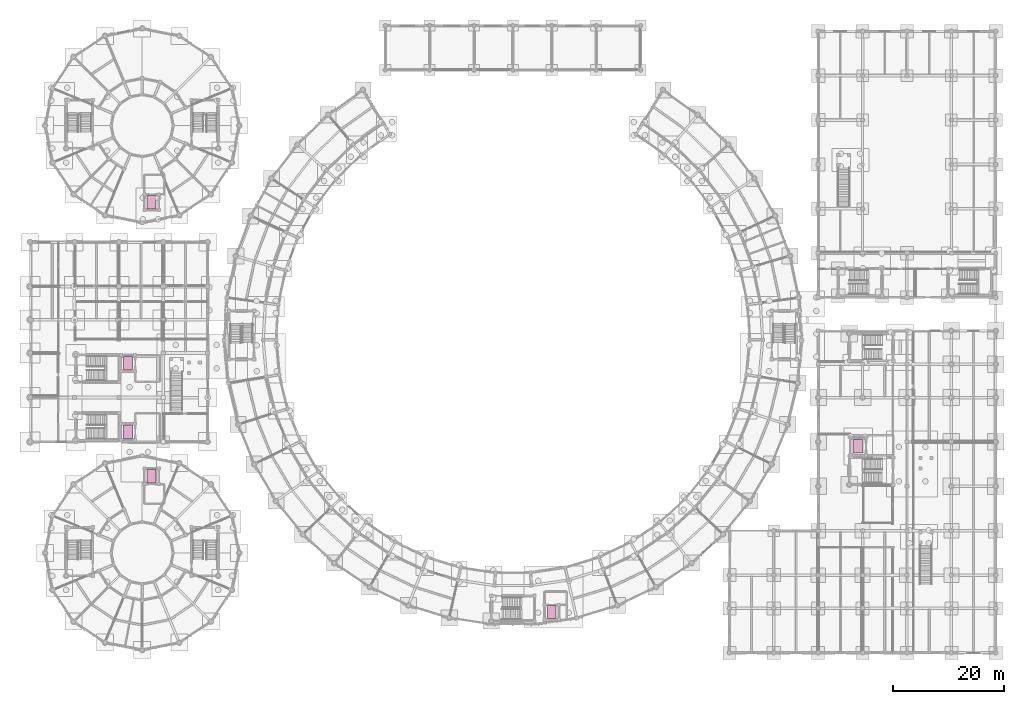
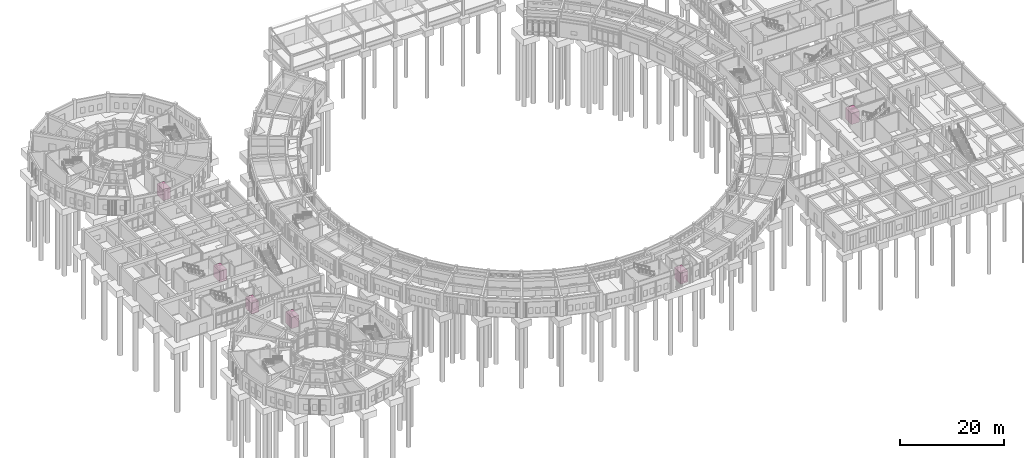
# One storey, part 153 of 153: 6 transport elements.
"""IFC4 building model written with IfcOpenShell, lengths in metres."""

import ifcopenshell
import ifcopenshell.guid

model = None  # the IFC model being written
_history = None  # IfcOwnerHistory: only IFC2X3 demands one
_inside = {}  # id of a spatial element -> (the spatial element, [elements in it])
_under = {}  # id of a project, library or spatial element -> (it, [spatial elements below it])
_declared = {}  # id of a project -> (the project, [libraries it declares])
_typed = {}  # id of a type object -> (the type object, [elements of that type])
_made_of = {}  # id of a material, layer set ... -> (it, [elements and type objects made of it])


def new_model(schema):
    """Start an empty IFC model of exactly this schema.

    Asked for "IFC4X3", IfcOpenShell would pick the latest addendum, in which some entities
    have other attributes; the version numbers below select the first issue.
    IFC2X3 requires an IfcOwnerHistory on every rooted entity: one is made here for all.
    """
    global model, _history
    if schema == "IFC4X3":
        model = ifcopenshell.file(schema_version=(4, 3, 0, 0))
    else:
        model = ifcopenshell.file(schema=schema)
    _inside.clear()
    _under.clear()
    _declared.clear()
    _typed.clear()
    _made_of.clear()
    _history = None
    if model.schema == "IFC2X3":
        org = make("IfcOrganization", Name="unknown")
        user = make(
            "IfcPersonAndOrganization",
            ThePerson=make("IfcPerson", FamilyName="unknown"),
            TheOrganization=org,
        )
        app = make(
            "IfcApplication",
            ApplicationDeveloper=org,
            Version="unknown",
            ApplicationFullName="unknown",
            ApplicationIdentifier="unknown",
        )
        _history = make(
            "IfcOwnerHistory",
            OwningUser=user,
            OwningApplication=app,
            ChangeAction="ADDED",
            CreationDate=0,
        )
    return model


def make(cls, **values):
    """One entity of the class cls with the attributes given. An attribute that is None is left unset."""
    return model.create_entity(
        cls, **{name: value for name, value in values.items() if value is not None}
    )


def rooted(cls, **values):
    """An entity with a GlobalId (a new one), such as an element, a storey or a relation."""
    return make(cls, GlobalId=ifcopenshell.guid.new(), OwnerHistory=_history, **values)


def si_unit(unit_type, name, prefix=None):
    """IfcSIUnit, for example si_unit("LENGTHUNIT", "METRE", prefix="MILLI")."""
    return make("IfcSIUnit", UnitType=unit_type, Prefix=prefix, Name=name)


def assignment(units):
    """IfcUnitAssignment: the units of a project."""
    return None if units is None else make("IfcUnitAssignment", Units=units)


def point(xyz):
    """IfcCartesianPoint."""
    return None if xyz is None else make("IfcCartesianPoint", Coordinates=xyz)


def direction(xyz):
    """IfcDirection."""
    return None if xyz is None else make("IfcDirection", DirectionRatios=xyz)


def frame(location, z_axis=None, x_axis=None):
    """IfcAxis2Placement3D, a coordinate frame: its origin and axes. An axis left out is left unset."""
    return make(
        "IfcAxis2Placement3D",
        Location=point(location),
        Axis=direction(z_axis),
        RefDirection=direction(x_axis),
    )


def frame_2d(location, x_axis=None):
    """IfcAxis2Placement2D, a coordinate frame in the plane: its origin and x axis."""
    return make(
        "IfcAxis2Placement2D", Location=point(location), RefDirection=direction(x_axis)
    )


def origin():
    """The frame at (0, 0, 0) with its axes left unset."""
    return frame((0.0, 0.0, 0.0))


def origin_2d():
    """The frame at (0, 0) in the plane with its x axis left unset."""
    return frame_2d((0.0, 0.0))


def place(relative_to, where):
    """IfcLocalPlacement: puts the frame where relative to a parent placement (None: the world)."""
    return make(
        "IfcLocalPlacement", PlacementRelTo=relative_to, RelativePlacement=where
    )


def context(
    kind, dimensions, precision=None, world=None, true_north=None, identifier=None
):
    """IfcGeometricRepresentationContext, for example the 3D "Model" context."""
    return make(
        "IfcGeometricRepresentationContext",
        ContextIdentifier=identifier,
        ContextType=kind,
        CoordinateSpaceDimension=dimensions,
        Precision=precision,
        WorldCoordinateSystem=world,
        TrueNorth=true_north,
    )


def subcontext(parent, identifier, kind, view, scale=None):
    """IfcGeometricRepresentationSubContext, for example "Body" below "Model"."""
    return make(
        "IfcGeometricRepresentationSubContext",
        ContextIdentifier=identifier,
        ContextType=kind,
        ParentContext=parent,
        TargetScale=scale,
        TargetView=view,
    )


def project(units=None, contexts=None):
    """IfcProject with its units and contexts."""
    return rooted(
        "IfcProject",
        Name="project",
        RepresentationContexts=contexts,
        UnitsInContext=assignment(units),
    )


def spatial(cls, under=None, at=None, **own):
    """A site, building, storey or space (cls), placed at a placement, below another one or the project."""
    s = rooted(cls, ObjectPlacement=at, **own)
    if under is not None:
        _under.setdefault(under.id(), (under, []))[1].append(s)
    return s


def profile(cls, at=None, kind="AREA", **sizes):
    """A parametric profile (cls). Its sizes go by their IFC names, for example OverallWidth=200.0."""
    return make(cls, ProfileType=kind, Position=at, **sizes)


def rectangle(**sizes):
    """IfcRectangleProfileDef."""
    return profile("IfcRectangleProfileDef", **sizes)


def extrude(swept, where, along, depth):
    """IfcExtrudedAreaSolid: the profile swept, set in the frame where, extruded along a direction by depth."""
    return make(
        "IfcExtrudedAreaSolid",
        SweptArea=swept,
        Position=where,
        ExtrudedDirection=direction(along),
        Depth=depth,
    )


def shape(context_of_items, identifier, shape_type, items):
    """IfcShapeRepresentation: the items that make up one representation, for example the "Body"."""
    return make(
        "IfcShapeRepresentation",
        ContextOfItems=context_of_items,
        RepresentationIdentifier=identifier,
        RepresentationType=shape_type,
        Items=items,
    )


def material(Name=None, Category=None):
    """IfcMaterial."""
    return make("IfcMaterial", Name=Name, Category=Category)


def made_of(thing, what):
    """Note that an element or type object is made of a material, layer set ...; save() writes the relation."""
    if what is not None:
        _made_of.setdefault(what.id(), (what, []))[1].append(thing)
    return thing


def type_object(cls, material=None, **own):
    """A type object (cls), such as IfcWallType, which elements share."""
    return made_of(rooted(cls, **own), material)


def element(
    cls,
    number,
    at=None,
    inside=None,
    cuts=None,
    type_object=None,
    material=None,
    context=None,
    identifier="Body",
    shape_type=None,
    held_by="IfcProductDefinitionShape",
    body=None,
    shapes=None,
    **own,
):
    """One element of the class cls, such as IfcWall. Its Tag is "e" and its number.

    at: its placement. inside: the storey or other place that contains it. cuts: it is an
    opening in that element (IfcRelVoidsElement). A single representation is given by context,
    identifier, shape_type and body (its items); several are given by shapes. held_by: the class
    of the entity that holds the representations. save() writes the other relations.
    """
    e = rooted(cls, Tag="e%d" % number, ObjectPlacement=at, **own)
    if body is not None:
        shapes = [shape(context, identifier, shape_type, body)]
    if shapes is not None:
        e.Representation = make(held_by, Representations=shapes)
    if inside is not None:
        _inside.setdefault(inside.id(), (inside, []))[1].append(e)
    if cuts is not None:
        rooted(
            "IfcRelVoidsElement", RelatingBuildingElement=cuts, RelatedOpeningElement=e
        )
    if type_object is not None:
        _typed.setdefault(type_object.id(), (type_object, []))[1].append(e)
    return made_of(e, material)


def aggregate(whole, parts):
    """IfcRelAggregates: a whole, such as a stair, and the parts it consists of."""
    return rooted("IfcRelAggregates", RelatingObject=whole, RelatedObjects=parts)


def save(model, path):
    """Write the relations noted so far, then the file.

    IfcRelAggregates (storeys below a building ...), IfcRelContainedInSpatialStructure (elements
    in a storey), IfcRelDefinesByType, IfcRelAssociatesMaterial and IfcRelDeclares: one each for
    every whole, place, type object, material and project.
    """
    for whole, parts in _under.values():
        aggregate(whole, parts)
    for where, things in _inside.values():
        rooted(
            "IfcRelContainedInSpatialStructure",
            RelatedElements=things,
            RelatingStructure=where,
        )
    for kind, things in _typed.values():
        rooted("IfcRelDefinesByType", RelatedObjects=things, RelatingType=kind)
    for what, things in _made_of.values():
        rooted("IfcRelAssociatesMaterial", RelatedObjects=things, RelatingMaterial=what)
    for by, libraries in _declared.values():
        rooted("IfcRelDeclares", RelatingContext=by, RelatedDefinitions=libraries)
    model.write(path)


model = new_model("IFC4")

# Units and contexts
model_context = context("Model", 3, precision=1e-05, world=origin(), true_north=direction((0.0, 1.0)))
body_context = subcontext(model_context, "Body", "Model", "MODEL_VIEW")
ifc_project = project(units=[si_unit("LENGTHUNIT", "METRE"), si_unit("AREAUNIT", "SQUARE_METRE"), si_unit("VOLUMEUNIT", "CUBIC_METRE"), si_unit("PLANEANGLEUNIT", "RADIAN"), si_unit("MASSUNIT", "GRAM", prefix="KILO")], contexts=[model_context])

# Site, building, storey
site_placement = place(None, origin())
site = spatial("IfcSite", under=ifc_project, at=site_placement, CompositionType="ELEMENT")
building_placement = place(site_placement, origin())
building = spatial("IfcBuilding", under=site, at=building_placement, Name="Celadon Cloister-Ring School", CompositionType="ELEMENT")
storey_placement = place(building_placement, origin())
storey = spatial("IfcBuildingStorey", under=building, at=storey_placement, Name="L00", CompositionType="ELEMENT", Elevation=0.0)

# Transport elements
ifc_material_1 = material(Name="Stainless steel 304", Category="steel")
transport_element_type_1 = type_object("IfcTransportElementType", Name="EL-01", PredefinedType="ELEVATOR", material=ifc_material_1)
for number, where, z_axis, x_axis, name in (
    (1, (17.64990234375, 41.85009765625, 0.0), (0.0, 0.0, 1.0), (1.0, 0.0, 0.0), "Elevator LF-01"),
    (2, (17.64990234375, 54.14990234375, 0.0), (0.0, 0.0, 1.0), (1.0, 0.0, 0.0), "Elevator LF-02"),
    (3, (94.0, 9.35009765625, 0.0), (0.0, 0.0, 1.0), (1.0, 0.0, 0.0), "Elevator LF-03"),
    (4, (21.89990234375, 83.199951171875, 0.0), (0.0, 0.0, 1.0), (1.0, 0.0, 0.0), "Elevator LF-04"),
    (5, (21.89990234375, 33.800048828125, 0.0), (0.0, 0.0, 1.0), (1.0, 0.0, 0.0), "Elevator LF-05"),
):
    element("IfcTransportElement", number, at=place(storey_placement, frame(where, z_axis=z_axis, x_axis=x_axis)), inside=storey, type_object=transport_element_type_1, Name=name, PredefinedType="ELEVATOR", context=body_context, shape_type="SweptSolid", body=[
        extrude(rectangle(XDim=1.60009765625, YDim=2.39990234375, at=origin_2d()), origin(), (0.0, 0.0, 1.0), 2.60009765625),
    ])
ifc_material_2 = material(Name="Stainless steel 304", Category="steel")
transport_element_type_2 = type_object("IfcTransportElementType", Name="EL-02", PredefinedType="ELEVATOR", material=ifc_material_2)
transport_element_placement = place(storey_placement, frame((149.199951171875, 39.199951171875, 0.0), z_axis=(0.0, 0.0, 1.0), x_axis=(1.0, 0.0, 0.0)))
element("IfcTransportElement", 6, at=transport_element_placement, inside=storey, type_object=transport_element_type_2, Name="Elevator LF-06", PredefinedType="ELEVATOR", context=body_context, shape_type="SweptSolid", body=[
    extrude(rectangle(XDim=1.800048828125, YDim=2.39990234375, at=origin_2d()), origin(), (0.0, 0.0, 1.0), 2.60009765625),
])

save(model, "model.ifc")
